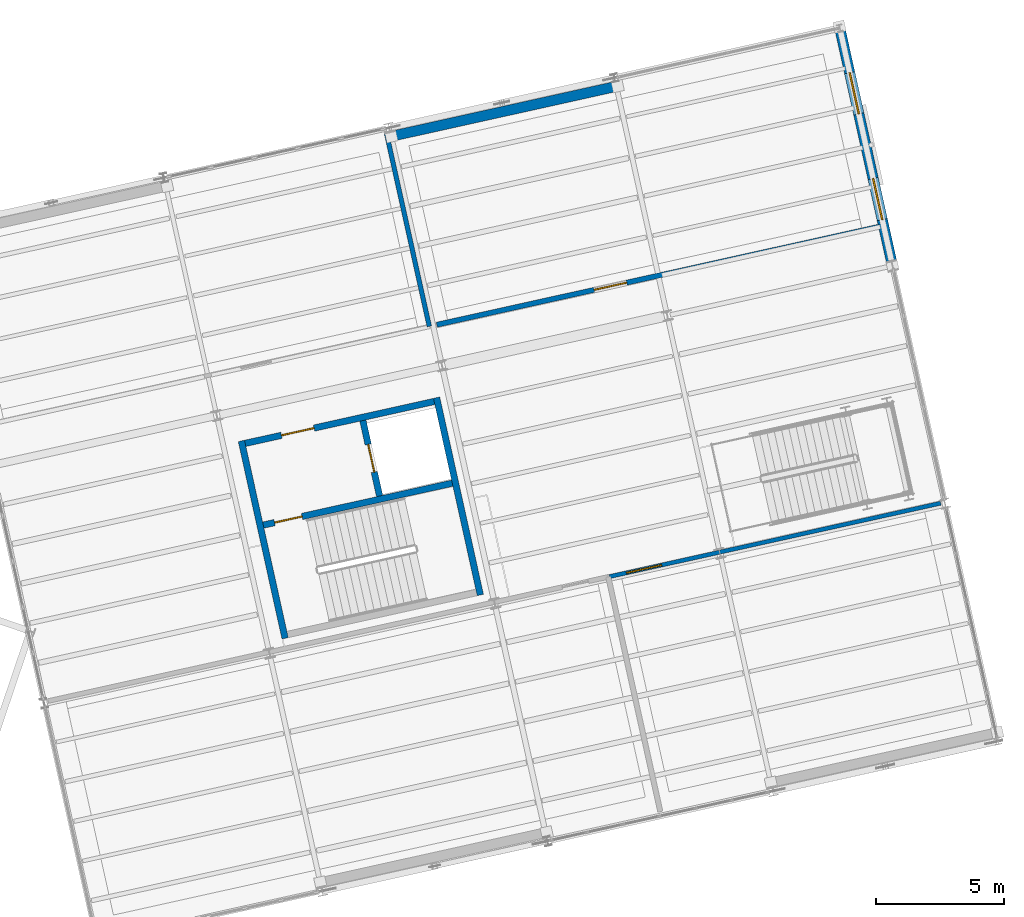
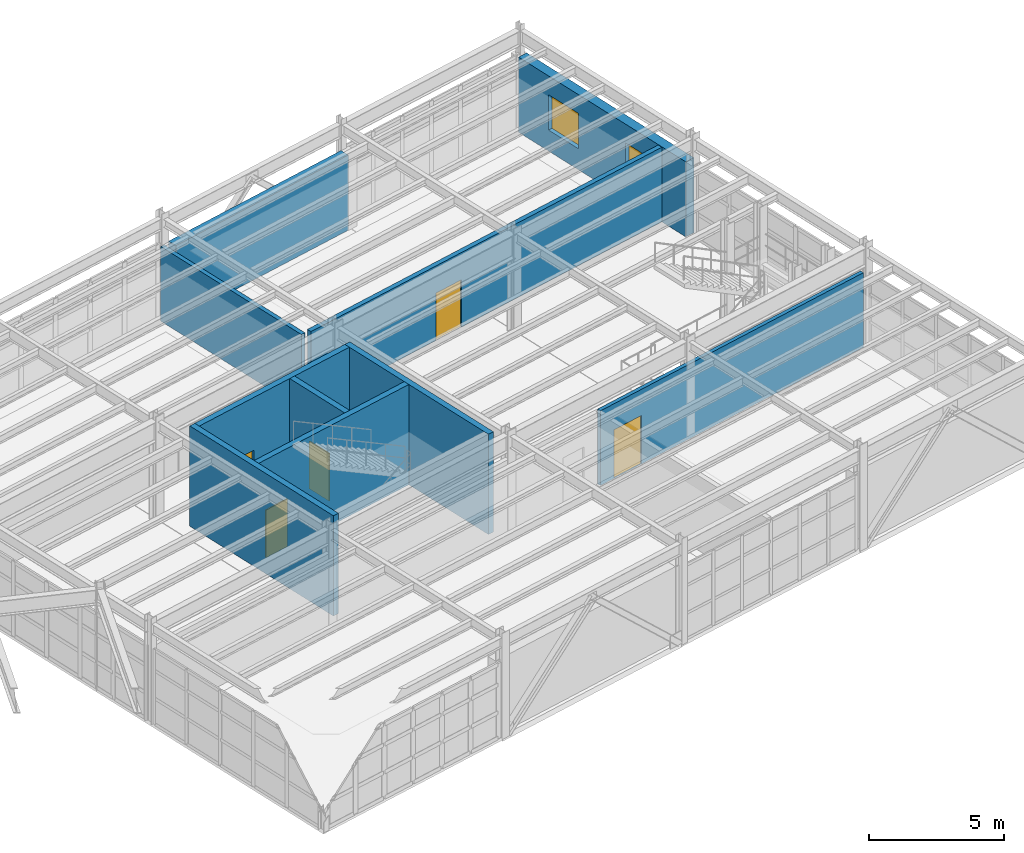
# One storey, part 95 of 109: 10 walls, 5 doors, 2 windows, 7 openings.
"""IFC4 building model written with IfcOpenShell, lengths in metres."""

from ifc_helpers import new_model, si_unit, direction, frame, frame_2d, origin, origin_with_axes, place, context, subcontext, project, spatial, rectangle, extrude, material, layer, layer_set, type_object, element, fill, save


model = new_model("IFC4")

# Units and contexts
model_context = context("Model", 3, precision=1e-05, world=origin(), true_north=direction((0.0, 1.0)))
body_context = subcontext(model_context, "Body", "Model", "MODEL_VIEW")
ifc_project = project(units=[si_unit("LENGTHUNIT", "METRE"), si_unit("AREAUNIT", "SQUARE_METRE"), si_unit("VOLUMEUNIT", "CUBIC_METRE"), si_unit("PLANEANGLEUNIT", "RADIAN"), si_unit("MASSUNIT", "GRAM", prefix="KILO")], contexts=[model_context])

# Site, building, storey
site_placement = place(None, origin())
site = spatial("IfcSite", under=ifc_project, at=site_placement, CompositionType="ELEMENT")
building_placement = place(site_placement, origin())
building = spatial("IfcBuilding", under=site, at=building_placement, Name="Vireo Bluff Cable Station", CompositionType="ELEMENT")
storey_placement = place(building_placement, frame((0.0, 0.0, 4.800048828125)))
storey = spatial("IfcBuildingStorey", under=building, at=storey_placement, Name="L01", CompositionType="ELEMENT", Elevation=4.800048828125)

# Wall
ifc_material_1 = material(Name="Precast concrete f'c 45 MPa", Category="concrete")
ifc_layer_1 = layer(ifc_material_1, 0.39990234375, Name="Precast concrete f'c 45 MPa")
ifc_layer_set_1 = layer_set([ifc_layer_1], Name="Precast concrete f'c 45 MPa")
wall_type_1 = type_object("IfcWallType", Name="EW-PRECAST-400", PredefinedType="SOLIDWALL", material=ifc_layer_set_1)
wall_1_placement = place(storey_placement, frame((137.660888671875, 105.428955078125, 0.0), z_axis=(0.0, 0.0, 1.0), x_axis=(0.976300703275, 0.216418429862, 0.0)))
element("IfcWall", 1, at=wall_1_placement, inside=storey, type_object=wall_type_1, Name="V2 L01 north exterior wall 37", PredefinedType="SOLIDWALL", context=body_context, shape_type="SweptSolid", body=[
    extrude(rectangle(XDim=8.68408203125, YDim=0.39990234375, at=frame_2d((4.342041015625, 0.0))), origin(), (0.0, 0.0, 1.0), 3.39990234375),
])

# Wall, openings, windows
ifc_layer_2 = layer(ifc_material_1, 0.409912109375, Name="Precast concrete f'c 45 MPa")
ifc_layer_set_2 = layer_set([ifc_layer_2], Name="Precast concrete f'c 45 MPa")
wall_type_2 = type_object("IfcWallType", Name="EW-PRECAST-410", PredefinedType="SOLIDWALL", material=ifc_layer_set_2)
wall_2_placement = place(storey_placement, frame((155.00634765625, 109.48876953125, 0.0), z_axis=(0.0, 0.0, 1.0), x_axis=(0.216438045979, -0.976296354727, 0.0)))
wall_2 = element("IfcWall", 2, at=wall_2_placement, inside=storey, type_object=wall_type_2, Name="V2 L01 east exterior wall 38", PredefinedType="SOLIDWALL", context=body_context, shape_type="SweptSolid", body=[
    extrude(rectangle(XDim=9.1875, YDim=0.409912109375, at=frame_2d((4.59375, 0.0))), origin(), (0.0, 0.0, 1.0), 3.39990234375),
])
opening_1_placement = place(wall_2_placement, frame((1.655517578125, 0.0, 0.949951171875)))
opening_1 = element("IfcOpeningElement", 3, at=opening_1_placement, cuts=wall_2, Name="Opening W-04", PredefinedType="OPENING", context=body_context, shape_type="SweptSolid", body=[
    extrude(rectangle(XDim=1.64990234375, YDim=1.60009765625, at=frame_2d((0.824951171875, 0.800048828125))), frame((0.0, 0.21484375, 0.0), z_axis=(0.0, -1.0, 0.0), x_axis=(1.0, 0.0, 0.0)), (0.0, 0.0, 1.0), 0.429931640625),
])
opening_2_placement = place(wall_2_placement, frame((5.8818359375, 0.0, 0.949951171875)))
opening_2 = element("IfcOpeningElement", 4, at=opening_2_placement, cuts=wall_2, Name="Opening W-04", PredefinedType="OPENING", context=body_context, shape_type="SweptSolid", body=[
    extrude(rectangle(XDim=1.64990234375, YDim=1.60009765625, at=frame_2d((0.824951171875, 0.800048828125))), frame((0.0, 0.21484375, 0.0), z_axis=(0.0, -1.0, 0.0), x_axis=(1.0, 0.0, 0.0)), (0.0, 0.0, 1.0), 0.429931640625),
])
ifc_material_2 = material(Name="Laminated Low-E Insulated Glass", Category="glass")
window_type = type_object("IfcWindowType", Name="WIN-1650X1600", PartitioningType="SINGLE_PANEL", PredefinedType="WINDOW", material=ifc_material_2)
window_1_placement = place(opening_1_placement, origin_with_axes())
window_1 = element("IfcWindow", 5, at=window_1_placement, inside=storey, type_object=window_type, Name="V2 L01 east window 3", OverallHeight=1.60009765625, OverallWidth=1.64990234375, PartitioningType="SINGLE_PANEL", PredefinedType="WINDOW", context=body_context, shape_type="SweptSolid", body=[
    extrude(rectangle(XDim=1.64990234375, YDim=1.60009765625, at=frame_2d((0.824951171875, 0.800048828125))), frame((0.0, 0.030029296875, 0.0), z_axis=(0.0, -1.0, 0.0), x_axis=(1.0, 0.0, 0.0)), (0.0, 0.0, 1.0), 0.06005859375),
])
fill(opening_1, window_1)
window_2_placement = place(opening_2_placement, origin_with_axes())
window_2 = element("IfcWindow", 6, at=window_2_placement, inside=storey, type_object=window_type, Name="V2 L01 east window 4", OverallHeight=1.60009765625, OverallWidth=1.64990234375, PartitioningType="SINGLE_PANEL", PredefinedType="WINDOW", context=body_context, shape_type="SweptSolid", body=[
    extrude(rectangle(XDim=1.64990234375, YDim=1.60009765625, at=frame_2d((0.824951171875, 0.800048828125))), frame((0.0, 0.030029296875, 0.0), z_axis=(0.0, -1.0, 0.0), x_axis=(1.0, 0.0, 0.0)), (0.0, 0.0, 1.0), 0.06005859375),
])
fill(opening_2, window_2)

# Wall, opening, door
ifc_material_3 = material(Name="Fire-Rated Gypsum Board Partition")
ifc_layer_3 = layer(ifc_material_3, 0.159912109375, Name="Fire-Rated Gypsum Board Partition")
ifc_layer_set_3 = layer_set([ifc_layer_3], Name="Fire-Rated Gypsum Board Partition")
wall_type_3 = type_object("IfcWallType", Name="PT-2HR-160", PredefinedType="PARTITIONING", material=ifc_layer_set_3)
wall_3_placement = place(storey_placement, frame((145.997314453125, 88.215087890625, 0.0), z_axis=(0.0, 0.0, 1.0), x_axis=(0.976295056142, 0.216443903478, 0.0)))
wall_3 = element("IfcWall", 7, at=wall_3_placement, inside=storey, type_object=wall_type_3, Name="V2 L01 Electrical Substation N partition", PredefinedType="PARTITIONING", context=body_context, shape_type="SweptSolid", body=[
    extrude(rectangle(XDim=13.22998046875, YDim=0.159912109375, at=frame_2d((6.614990234375, 0.0))), origin(), (0.0, 0.0, 1.0), 3.3798828125),
])
opening_3_placement = place(wall_3_placement, frame((0.677978515625, 0.0, 0.0)))
opening_3 = element("IfcOpeningElement", 8, at=opening_3_placement, cuts=wall_3, Name="Opening D-0067", PredefinedType="OPENING", context=body_context, shape_type="SweptSolid", body=[
    extrude(rectangle(XDim=1.39990234375, YDim=2.199951171875, at=frame_2d((0.699951171875, 1.10009765625))), frame((0.0, 0.08984375, 0.0), z_axis=(0.0, -1.0, 0.0), x_axis=(1.0, 0.0, 0.0)), (0.0, 0.0, 1.0), 0.179931640625),
])
ifc_material_4 = material(Name="Stainless Steel 316", Category="steel")
door_type_1 = type_object("IfcDoorType", Name="IDOOR90-1400X2200", OperationType="NOTDEFINED", PredefinedType="DOOR", material=ifc_material_4)
door_1_placement = place(opening_3_placement, origin_with_axes())
door_1 = element("IfcDoor", 9, at=door_1_placement, inside=storey, type_object=door_type_1, Name="V2 L01 Electrical Substation door D-0067", OperationType="SINGLE_SWING_RIGHT", OverallHeight=2.199951171875, OverallWidth=1.39990234375, PredefinedType="DOOR", context=body_context, shape_type="SweptSolid", body=[
    extrude(rectangle(XDim=1.39990234375, YDim=2.199951171875, at=frame_2d((0.699951171875, 1.10009765625))), frame((0.0, 0.02490234375, 0.0), z_axis=(0.0, -1.0, 0.0), x_axis=(1.0, 0.0, 0.0)), (0.0, 0.0, 1.0), 0.050048828125),
])
fill(opening_3, door_1)

# Wall
ifc_layer_4 = layer(ifc_material_3, 0.179931640625, Name="Fire-Rated Gypsum Board Partition")
ifc_layer_set_4 = layer_set([ifc_layer_4], Name="Fire-Rated Gypsum Board Partition")
wall_type_4 = type_object("IfcWallType", Name="PT-2HR-180", PredefinedType="PARTITIONING", material=ifc_layer_set_4)
wall_4_placement = place(storey_placement, frame((137.295166015625, 105.52197265625, 0.0), z_axis=(0.0, 0.0, 1.0), x_axis=(0.216438848958, -0.976296176712, 0.0)))
element("IfcWall", 10, at=wall_4_placement, inside=storey, type_object=wall_type_4, Name="V2 L01 Heat-Recovery Chiller Plant E partition", PredefinedType="PARTITIONING", context=body_context, shape_type="SweptSolid", body=[
    extrude(rectangle(XDim=7.730224609375, YDim=0.179931640625, at=frame_2d((3.865234375, 0.0))), origin(), (0.0, 0.0, 1.0), 3.3798828125),
])

# Wall, opening, door
ifc_layer_5 = layer(ifc_material_3, 0.199951171875, Name="Fire-Rated Gypsum Board Partition")
ifc_layer_set_5 = layer_set([ifc_layer_5], Name="Fire-Rated Gypsum Board Partition")
wall_type_5 = type_object("IfcWallType", Name="PT-2HR-200", PredefinedType="PARTITIONING", material=ifc_layer_set_5)
wall_5_placement = place(storey_placement, frame((156.52197265625, 101.86669921875, 0.0), z_axis=(0.0, 0.0, 1.0), x_axis=(-0.976295460433, -0.21644207987, 0.0)))
wall_5 = element("IfcWall", 11, at=wall_5_placement, inside=storey, type_object=wall_type_5, Name="V2 L01 Fire Pump and Water Booster Room S partition", PredefinedType="PARTITIONING", context=body_context, shape_type="SweptSolid", body=[
    extrude(rectangle(XDim=17.679931640625, YDim=0.199951171875, at=frame_2d((8.83984375, 0.0))), origin(), (0.0, 0.0, 1.0), 3.3798828125),
])
opening_4_placement = place(wall_5_placement, frame((10.096923828125, 0.0, 0.0)))
opening_4 = element("IfcOpeningElement", 12, at=opening_4_placement, cuts=wall_5, Name="Opening D-0066", PredefinedType="OPENING", context=body_context, shape_type="SweptSolid", body=[
    extrude(rectangle(XDim=1.300048828125, YDim=2.14990234375, at=frame_2d((0.64990234375, 1.074951171875))), frame((0.0, 0.10986328125, 0.0), z_axis=(0.0, -1.0, 0.0), x_axis=(1.0, 0.0, 0.0)), (0.0, 0.0, 1.0), 0.219970703125),
])
door_type_2 = type_object("IfcDoorType", Name="IDOOR90-1300X2150", OperationType="NOTDEFINED", PredefinedType="DOOR", material=ifc_material_4)
door_2_placement = place(opening_4_placement, origin_with_axes())
door_2 = element("IfcDoor", 13, at=door_2_placement, inside=storey, type_object=door_type_2, Name="V2 L01 Fire Pump and Water Booster Room door D-0066", OperationType="SINGLE_SWING_LEFT", OverallHeight=2.14990234375, OverallWidth=1.300048828125, PredefinedType="DOOR", context=body_context, shape_type="SweptSolid", body=[
    extrude(rectangle(XDim=1.300048828125, YDim=2.14990234375, at=frame_2d((0.64990234375, 1.074951171875))), frame((0.0, 0.02490234375, 0.0), z_axis=(0.0, -1.0, 0.0), x_axis=(1.0, 0.0, 0.0)), (0.0, 0.0, 1.0), 0.050048828125),
])
fill(opening_4, door_2)

# Walls
ifc_material_5 = material(Name="Concrete f'c 40 MPa", Category="concrete")
ifc_layer_6 = layer(ifc_material_5, 0.25, Name="Concrete f'c 40 MPa")
ifc_layer_set_6 = layer_set([ifc_layer_6], Name="Concrete f'c 40 MPa")
wall_type_6 = type_object("IfcWallType", Name="SW-CORE-250", PredefinedType="SHEAR", material=ifc_layer_set_6)
for number, where, z_axis, x_axis, name in (
    (14, (133.343017578125, 85.809326171875, 0.0), (0.0, 0.0, 1.0), (-0.216432105695, 0.976297671627, 0.0), "CORE-4 L01 core W shear wall"),
    (15, (140.958251953125, 87.49755859375, 0.0), (0.0, 0.0, 1.0), (-0.216461618103, 0.976291128654, 0.0), "CORE-4 L01 core E shear wall"),
):
    element("IfcWall", number, at=place(storey_placement, frame(where, z_axis=z_axis, x_axis=x_axis)), inside=storey, type_object=wall_type_6, Name=name, PredefinedType="SHEAR", context=body_context, shape_type="SweptSolid", body=[
        extrude(rectangle(XDim=7.885009765625, YDim=0.25, at=frame_2d((3.9423828125, 0.0))), origin(), (0.0, 0.0, 1.0), 4.5400390625),
    ])

# Wall, opening, door
wall_6_placement = place(storey_placement, frame((139.86328125, 91.85888671875, 0.0), z_axis=(0.0, 0.0, 1.0), x_axis=(-0.97629877613, -0.216427123365, 0.0)))
wall_6 = element("IfcWall", 16, at=wall_6_placement, inside=storey, type_object=wall_type_6, Name="CORE-4 L01 stair shaft north shear wall", PredefinedType="SHEAR", context=body_context, shape_type="SweptSolid", body=[
    extrude(rectangle(XDim=7.550048828125, YDim=0.25, at=frame_2d((3.77490234375, 0.0))), origin(), (0.0, 0.0, 1.0), 4.5400390625),
])
opening_5_placement = place(wall_6_placement, frame((6.0, 0.0, 0.0)))
opening_5 = element("IfcOpeningElement", 17, at=opening_5_placement, cuts=wall_6, Name="Opening SD-027", PredefinedType="OPENING", context=body_context, shape_type="SweptSolid", body=[
    extrude(rectangle(XDim=1.10009765625, YDim=2.14990234375, at=frame_2d((0.550048828125, 1.074951171875))), frame((0.0, 0.135009765625, 0.0), z_axis=(0.0, -1.0, 0.0), x_axis=(1.0, 0.0, 0.0)), (0.0, 0.0, 1.0), 0.27001953125),
])
door_type_3 = type_object("IfcDoorType", Name="IDOOR90-1100X2150", OperationType="NOTDEFINED", PredefinedType="DOOR", material=ifc_material_4)
door_3_placement = place(opening_5_placement, origin_with_axes())
door_3 = element("IfcDoor", 18, at=door_3_placement, inside=storey, type_object=door_type_3, Name="CORE-4 L01 stair fire door SD-027", OperationType="SINGLE_SWING_RIGHT", OverallHeight=2.14990234375, OverallWidth=1.10009765625, PredefinedType="DOOR", context=body_context, shape_type="SweptSolid", body=[
    extrude(rectangle(XDim=1.10009765625, YDim=2.14990234375, at=frame_2d((0.550048828125, 1.074951171875))), frame((0.0, 0.02490234375, 0.0), z_axis=(0.0, -1.0, 0.0), x_axis=(1.0, 0.0, 0.0)), (0.0, 0.0, 1.0), 0.050048828125),
])
fill(opening_5, door_3)

wall_7_placement = place(storey_placement, frame((139.156494140625, 95.04638671875, 0.0), z_axis=(0.0, 0.0, 1.0), x_axis=(-0.976297261401, -0.216433956164, 0.0)))
wall_7 = element("IfcWall", 19, at=wall_7_placement, inside=storey, type_object=wall_type_6, Name="CORE-4 L01 core north shear wall", PredefinedType="SHEAR", context=body_context, shape_type="SweptSolid", body=[
    extrude(rectangle(XDim=7.5498046875, YDim=0.25, at=frame_2d((3.77490234375, 0.0))), origin(), (0.0, 0.0, 1.0), 4.5400390625),
])
opening_6_placement = place(wall_7_placement, frame((4.800048828125, 0.0, 0.0)))
opening_6 = element("IfcOpeningElement", 20, at=opening_6_placement, cuts=wall_7, Name="Opening FD-028", PredefinedType="OPENING", context=body_context, shape_type="SweptSolid", body=[
    extrude(rectangle(XDim=1.300048828125, YDim=2.14990234375, at=frame_2d((0.64990234375, 1.074951171875))), frame((0.0, 0.135009765625, 0.0), z_axis=(0.0, -1.0, 0.0), x_axis=(1.0, 0.0, 0.0)), (0.0, 0.0, 1.0), 0.27001953125),
])
door_4_placement = place(opening_6_placement, origin_with_axes())
door_4 = element("IfcDoor", 21, at=door_4_placement, inside=storey, type_object=door_type_2, Name="CORE-4 L01 firefighting lobby door FD-028", OperationType="SINGLE_SWING_LEFT", OverallHeight=2.14990234375, OverallWidth=1.300048828125, PredefinedType="DOOR", context=body_context, shape_type="SweptSolid", body=[
    extrude(rectangle(XDim=1.300048828125, YDim=2.14990234375, at=frame_2d((0.64990234375, 1.074951171875))), frame((0.0, 0.02490234375, 0.0), z_axis=(0.0, -1.0, 0.0), x_axis=(1.0, 0.0, 0.0)), (0.0, 0.0, 1.0), 0.050048828125),
])
fill(opening_6, door_4)

wall_8_placement = place(storey_placement, frame((137.029296875, 91.358642578125, 0.0), z_axis=(0.0, 0.0, 1.0), x_axis=(-0.216441732724, 0.976295537394, 0.0)))
wall_8 = element("IfcWall", 22, at=wall_8_placement, inside=storey, type_object=wall_type_6, Name="CORE-4 L01 lift shaft front wall", PredefinedType="SHEAR", context=body_context, shape_type="SweptSolid", body=[
    extrude(rectangle(XDim=3.01513671875, YDim=0.25, at=frame_2d((1.507568359375, 0.0))), origin(), (0.0, 0.0, 1.0), 4.5400390625),
])
opening_7_placement = place(wall_8_placement, frame((0.95751953125, 0.0, 0.0)))
opening_7 = element("IfcOpeningElement", 23, at=opening_7_placement, cuts=wall_8, Name="Opening LD-014", PredefinedType="OPENING", context=body_context, shape_type="SweptSolid", body=[
    extrude(rectangle(XDim=1.10009765625, YDim=2.14990234375, at=frame_2d((0.550048828125, 1.074951171875))), frame((0.0, 0.135009765625, 0.0), z_axis=(0.0, -1.0, 0.0), x_axis=(1.0, 0.0, 0.0)), (0.0, 0.0, 1.0), 0.27001953125),
])
door_type_4 = type_object("IfcDoorType", Name="LIFTDOOR-1100X2150", OperationType="DOUBLE_DOOR_SLIDING", PredefinedType="DOOR", material=ifc_material_4)
door_5_placement = place(opening_7_placement, origin_with_axes())
door_5 = element("IfcDoor", 24, at=door_5_placement, inside=storey, type_object=door_type_4, Name="CORE-4 L01 lift sliding landing door LD-014", OperationType="DOUBLE_DOOR_SLIDING", OverallHeight=2.14990234375, OverallWidth=1.10009765625, PredefinedType="DOOR", context=body_context, shape_type="SweptSolid", body=[
    extrude(rectangle(XDim=1.10009765625, YDim=2.14990234375, at=frame_2d((0.550048828125, 1.074951171875))), frame((0.0, 0.02490234375, 0.0), z_axis=(0.0, -1.0, 0.0), x_axis=(1.0, 0.0, 0.0)), (0.0, 0.0, 1.0), 0.050048828125),
])
fill(opening_7, door_5)

save(model, "model.ifc")
